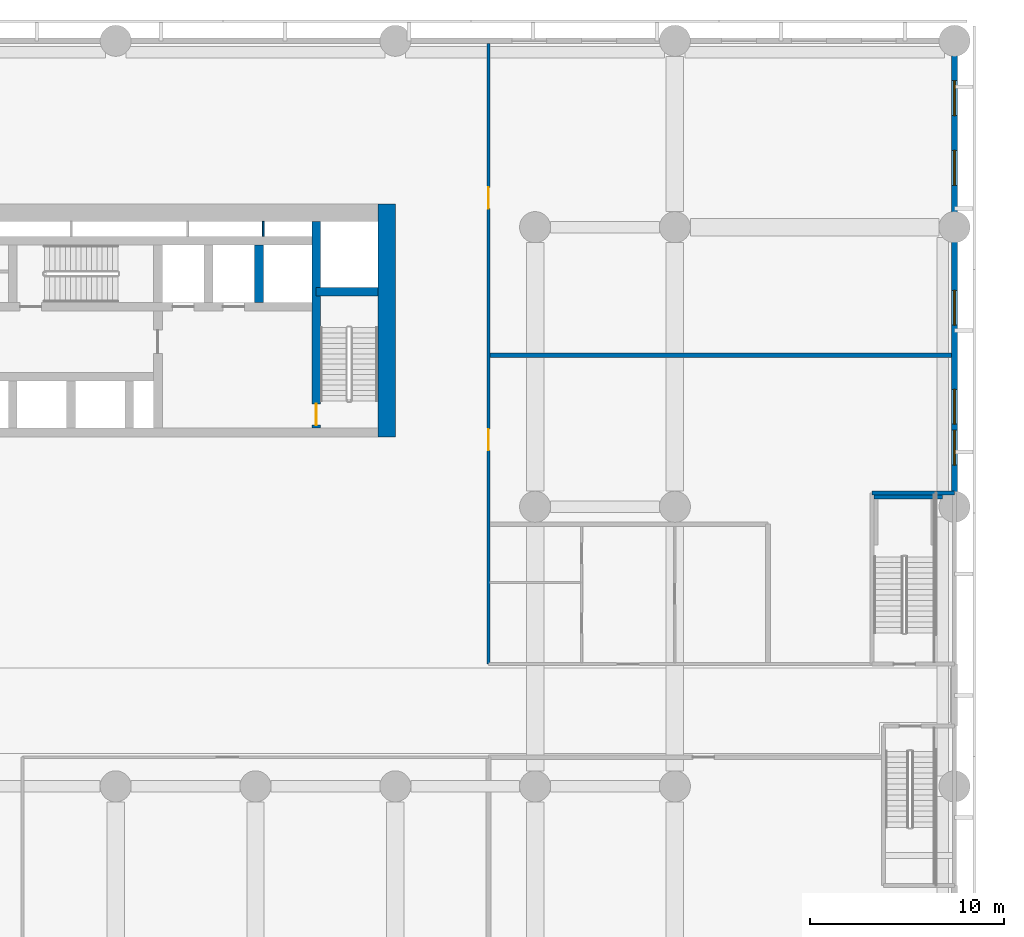
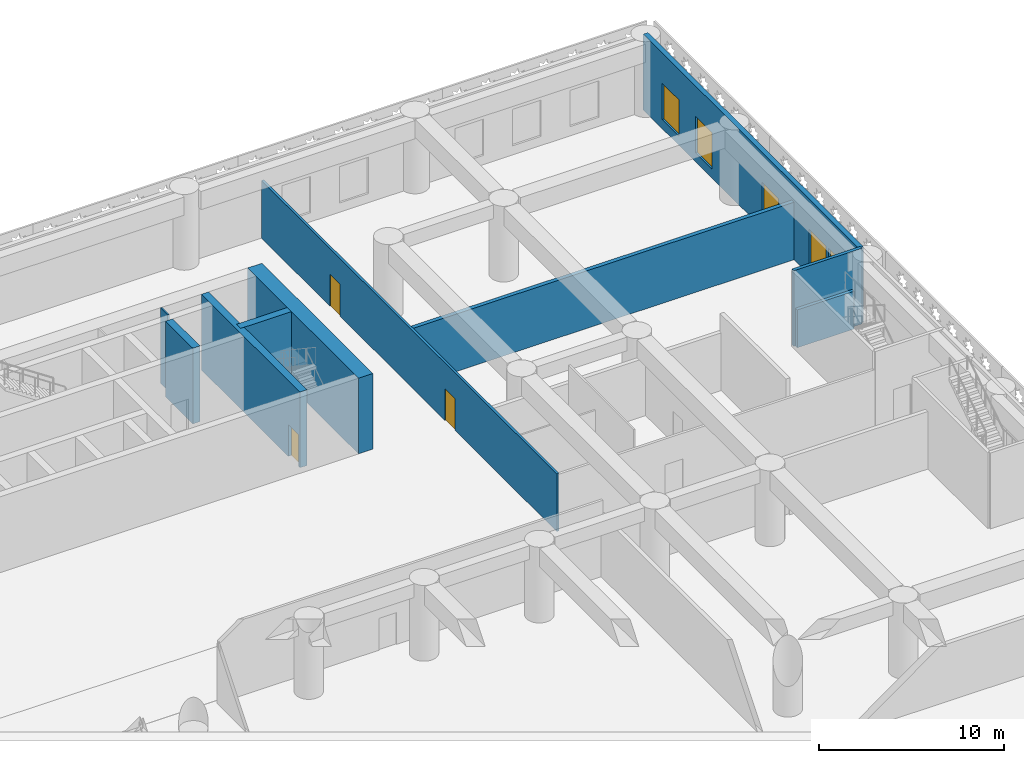
# One storey, part 10 of 30: 10 walls, 5 windows, 3 doors, 8 openings.
"""IFC4 building model written with IfcOpenShell, lengths in metres."""

from ifc_helpers import new_model, si_unit, direction, frame, frame_2d, origin, place, context, subcontext, project, spatial, rectangle, extrude, material, layer, layer_set, type_object, element, fill, save


model = new_model("IFC4")

# Units and contexts
model_context = context("Model", 3, precision=1e-05, world=origin(), true_north=direction((0.0, 1.0)))
body_context = subcontext(model_context, "Body", "Model", "MODEL_VIEW")
ifc_project = project(units=[si_unit("LENGTHUNIT", "METRE"), si_unit("AREAUNIT", "SQUARE_METRE"), si_unit("VOLUMEUNIT", "CUBIC_METRE"), si_unit("PLANEANGLEUNIT", "RADIAN"), si_unit("MASSUNIT", "GRAM", prefix="KILO")], contexts=[model_context])

# Site, building, storey
site_placement = place(None, origin())
site = spatial("IfcSite", under=ifc_project, at=site_placement, CompositionType="ELEMENT")
building_placement = place(site_placement, origin())
building = spatial("IfcBuilding", under=site, at=building_placement, Name="Saffron Iwan Residences", CompositionType="ELEMENT")
storey_placement = place(building_placement, frame((0.0, 0.0, 7.800048828125)))
storey = spatial("IfcBuildingStorey", under=building, at=storey_placement, Name="L01", CompositionType="ELEMENT", Elevation=7.800048828125)

# Wall, openings, doors
ifc_material_1 = material(Name="Concrete blockwork", Category="masonry")
ifc_layer_1 = layer(ifc_material_1, 0.14990234375)
ifc_layer_set_1 = layer_set([ifc_layer_1], Name="Concrete blockwork")
wall_type_1 = type_object("IfcWallType", Name="Blockwork partition 150", PredefinedType="PARTITIONING", material=ifc_layer_set_1)
wall_1_placement = place(storey_placement, frame((76.800048828125, 54.300048828125, 0.0), z_axis=(0.0, 0.0, 1.0), x_axis=(0.0, 1.0, 0.0)))
wall_1 = element("IfcWall", 1, at=wall_1_placement, inside=storey, type_object=wall_type_1, Name="W-L01-045", PredefinedType="PARTITIONING", context=body_context, shape_type="SweptSolid", body=[
    extrude(rectangle(XDim=31.949951171875, YDim=0.14990234375, at=frame_2d((15.97509765625, 0.0))), origin(), (0.0, 0.0, 1.0), 3.800048828125),
])
opening_1_placement = place(wall_1_placement, frame((11.0, 0.0, 0.0)))
opening_1 = element("IfcOpeningElement", 2, at=opening_1_placement, cuts=wall_1, Name="Opening L01.14", PredefinedType="OPENING", context=body_context, shape_type="SweptSolid", body=[
    extrude(rectangle(XDim=1.10009765625, YDim=2.10009765625, at=frame_2d((0.550048828125, 1.050048828125))), frame((0.0, 0.0849609375, 0.0), z_axis=(0.0, -1.0, 0.0), x_axis=(1.0, 0.0, 0.0)), (0.0, 0.0, 1.0), 0.169921875),
])
opening_2_placement = place(wall_1_placement, frame((23.449951171875, 0.0, 0.0)))
opening_2 = element("IfcOpeningElement", 3, at=opening_2_placement, cuts=wall_1, Name="Opening L01.15", PredefinedType="OPENING", context=body_context, shape_type="SweptSolid", body=[
    extrude(rectangle(XDim=1.10009765625, YDim=2.10009765625, at=frame_2d((0.550048828125, 1.050048828125))), frame((0.0, 0.0849609375, 0.0), z_axis=(0.0, -1.0, 0.0), x_axis=(1.0, 0.0, 0.0)), (0.0, 0.0, 1.0), 0.169921875),
])
ifc_material_2 = material(Name="Timber", Category="wood")
door_type_1 = type_object("IfcDoorType", Name="Door 1100x2100", OperationType="NOTDEFINED", PredefinedType="DOOR", material=ifc_material_2)
door_1_placement = place(opening_1_placement, origin())
door_1 = element("IfcDoor", 4, at=door_1_placement, inside=storey, type_object=door_type_1, Name="D-L01-014", OperationType="SINGLE_SWING_LEFT", OverallHeight=2.10009765625, OverallWidth=1.10009765625, PredefinedType="DOOR", context=body_context, shape_type="SweptSolid", body=[
    extrude(rectangle(XDim=1.10009765625, YDim=2.10009765625, at=frame_2d((0.550048828125, 1.050048828125))), frame((0.0, 0.02490234375, 0.0), z_axis=(0.0, -1.0, 0.0), x_axis=(1.0, 0.0, 0.0)), (0.0, 0.0, 1.0), 0.050048828125),
])
fill(opening_1, door_1)
door_2_placement = place(opening_2_placement, origin())
door_2 = element("IfcDoor", 5, at=door_2_placement, inside=storey, type_object=door_type_1, Name="D-L01-015", OperationType="SINGLE_SWING_RIGHT", OverallHeight=2.10009765625, OverallWidth=1.10009765625, PredefinedType="DOOR", context=body_context, shape_type="SweptSolid", body=[
    extrude(rectangle(XDim=1.10009765625, YDim=2.10009765625, at=frame_2d((0.550048828125, 1.050048828125))), frame((0.0, 0.02490234375, 0.0), z_axis=(0.0, -1.0, 0.0), x_axis=(1.0, 0.0, 0.0)), (0.0, 0.0, 1.0), 0.050048828125),
])
fill(opening_2, door_2)

# Walls
ifc_material_3 = material(Name="Concrete C40/50", Category="concrete")
ifc_layer_2 = layer(ifc_material_3, 0.25)
ifc_layer_set_2 = layer_set([ifc_layer_2], Name="Concrete C40/50")
wall_type_2 = type_object("IfcWallType", Name="Fire compartment wall 250", PredefinedType="SOLIDWALL", material=ifc_layer_set_2)
wall_2_placement = place(storey_placement, frame((76.875, 70.199951171875, 0.0), z_axis=(0.0, 0.0, 1.0), x_axis=(1.0, 0.0, 0.0)))
element("IfcWall", 6, at=wall_2_placement, inside=storey, type_object=wall_type_2, Name="W-L01-025", PredefinedType="SOLIDWALL", context=body_context, shape_type="SweptSolid", body=[
    extrude(rectangle(XDim=23.77490234375, YDim=0.25, at=frame_2d((11.887451171875, 0.0))), origin(), (0.0, 0.0, 1.0), 3.800048828125),
])
ifc_layer_3 = layer(ifc_material_3, 0.199951171875)
ifc_layer_set_3 = layer_set([ifc_layer_3], Name="Concrete C40/50")
wall_type_3 = type_object("IfcWallType", Name="Landing support wall, reinforced concrete 200", PredefinedType="SOLIDWALL", material=ifc_layer_set_3)
wall_3_placement = place(storey_placement, frame((96.64990234375, 62.89990234375, 0.0), z_axis=(0.0, 0.0, 1.0), x_axis=(1.0, 0.0, 0.0)))
element("IfcWall", 7, at=wall_3_placement, inside=storey, type_object=wall_type_3, Name="PS4 landing support wall", PredefinedType="SOLIDWALL", context=body_context, shape_type="SweptSolid", body=[
    extrude(rectangle(XDim=3.526123046875, YDim=0.199951171875, at=frame_2d((1.76318359375, 0.0))), origin(), (0.0, 0.0, 1.0), 2.5),
])

# Wall, openings, windows
ifc_material_4 = material(Name="Precast concrete C40/50", Category="concrete")
ifc_layer_4 = layer(ifc_material_4, 0.300048828125)
ifc_layer_set_4 = layer_set([ifc_layer_4], Name="Precast concrete C40/50")
wall_type_4 = type_object("IfcWallType", Name="Podium external wall 300", PredefinedType="SOLIDWALL", material=ifc_layer_set_4)
wall_4_placement = place(storey_placement, frame((100.800048828125, 63.10009765625, 0.0), z_axis=(0.0, 0.0, 1.0), x_axis=(0.0, 1.0, 0.0)))
wall_4 = element("IfcWall", 8, at=wall_4_placement, inside=storey, type_object=wall_type_4, Name="W-L01-055", PredefinedType="SOLIDWALL", context=body_context, shape_type="SweptSolid", body=[
    extrude(rectangle(XDim=23.2998046875, YDim=0.300048828125, at=frame_2d((11.64990234375, 0.0))), origin(), (0.0, 0.0, 1.0), 5.0),
])
opening_3_placement = place(wall_4_placement, frame((1.449951171875, 0.0, 0.60009765625)))
opening_3 = element("IfcOpeningElement", 9, at=opening_3_placement, cuts=wall_4, Name="Opening W7", PredefinedType="OPENING", context=body_context, shape_type="SweptSolid", body=[
    extrude(rectangle(XDim=1.800048828125, YDim=2.39990234375, at=frame_2d((0.89990234375, 1.199951171875))), frame((0.0, 0.16015625, 0.0), z_axis=(0.0, -1.0, 0.0), x_axis=(1.0, 0.0, 0.0)), (0.0, 0.0, 1.0), 0.320068359375),
])
opening_4_placement = place(wall_4_placement, frame((3.550048828125, 0.0, 0.60009765625)))
opening_4 = element("IfcOpeningElement", 10, at=opening_4_placement, cuts=wall_4, Name="Opening W7", PredefinedType="OPENING", context=body_context, shape_type="SweptSolid", body=[
    extrude(rectangle(XDim=1.800048828125, YDim=2.39990234375, at=frame_2d((0.89990234375, 1.199951171875))), frame((0.0, 0.16015625, 0.0), z_axis=(0.0, -1.0, 0.0), x_axis=(1.0, 0.0, 0.0)), (0.0, 0.0, 1.0), 0.320068359375),
])
opening_5_placement = place(wall_4_placement, frame((8.64990234375, 0.0, 0.60009765625)))
opening_5 = element("IfcOpeningElement", 11, at=opening_5_placement, cuts=wall_4, Name="Opening W7", PredefinedType="OPENING", context=body_context, shape_type="SweptSolid", body=[
    extrude(rectangle(XDim=1.800048828125, YDim=2.39990234375, at=frame_2d((0.89990234375, 1.199951171875))), frame((0.0, 0.16015625, 0.0), z_axis=(0.0, -1.0, 0.0), x_axis=(1.0, 0.0, 0.0)), (0.0, 0.0, 1.0), 0.320068359375),
])
opening_6_placement = place(wall_4_placement, frame((15.85009765625, 0.0, 0.60009765625)))
opening_6 = element("IfcOpeningElement", 12, at=opening_6_placement, cuts=wall_4, Name="Opening W7", PredefinedType="OPENING", context=body_context, shape_type="SweptSolid", body=[
    extrude(rectangle(XDim=1.800048828125, YDim=2.39990234375, at=frame_2d((0.89990234375, 1.199951171875))), frame((0.0, 0.16015625, 0.0), z_axis=(0.0, -1.0, 0.0), x_axis=(1.0, 0.0, 0.0)), (0.0, 0.0, 1.0), 0.320068359375),
])
opening_7_placement = place(wall_4_placement, frame((19.449951171875, 0.0, 0.60009765625)))
opening_7 = element("IfcOpeningElement", 13, at=opening_7_placement, cuts=wall_4, Name="Opening W7", PredefinedType="OPENING", context=body_context, shape_type="SweptSolid", body=[
    extrude(rectangle(XDim=1.800048828125, YDim=2.39990234375, at=frame_2d((0.89990234375, 1.199951171875))), frame((0.0, 0.16015625, 0.0), z_axis=(0.0, -1.0, 0.0), x_axis=(1.0, 0.0, 0.0)), (0.0, 0.0, 1.0), 0.320068359375),
])
ifc_material_5 = material(Name="Clear glass, laminated double glazed", Category="glass")
window_type = type_object("IfcWindowType", Name="WINDOW 1800 x 2400 PODIUM", PartitioningType="DOUBLE_PANEL_VERTICAL", PredefinedType="WINDOW", material=ifc_material_5)
window_1_placement = place(opening_3_placement, origin())
window_1 = element("IfcWindow", 14, at=window_1_placement, inside=storey, type_object=window_type, Name="Window L01 W-L01-055.0", OverallHeight=2.39990234375, OverallWidth=1.800048828125, PartitioningType="DOUBLE_PANEL_VERTICAL", PredefinedType="WINDOW", context=body_context, shape_type="SweptSolid", body=[
    extrude(rectangle(XDim=1.800048828125, YDim=2.39990234375, at=frame_2d((0.89990234375, 1.199951171875))), frame((0.0, 0.030029296875, 0.0), z_axis=(0.0, -1.0, 0.0), x_axis=(1.0, 0.0, 0.0)), (0.0, 0.0, 1.0), 0.06005859375),
])
fill(opening_3, window_1)
window_2_placement = place(opening_4_placement, origin())
window_2 = element("IfcWindow", 15, at=window_2_placement, inside=storey, type_object=window_type, Name="Window L01 W-L01-055.1", OverallHeight=2.39990234375, OverallWidth=1.800048828125, PartitioningType="DOUBLE_PANEL_VERTICAL", PredefinedType="WINDOW", context=body_context, shape_type="SweptSolid", body=[
    extrude(rectangle(XDim=1.800048828125, YDim=2.39990234375, at=frame_2d((0.89990234375, 1.199951171875))), frame((0.0, 0.030029296875, 0.0), z_axis=(0.0, -1.0, 0.0), x_axis=(1.0, 0.0, 0.0)), (0.0, 0.0, 1.0), 0.06005859375),
])
fill(opening_4, window_2)
window_3_placement = place(opening_5_placement, origin())
window_3 = element("IfcWindow", 16, at=window_3_placement, inside=storey, type_object=window_type, Name="Window L01 W-L01-055.2", OverallHeight=2.39990234375, OverallWidth=1.800048828125, PartitioningType="DOUBLE_PANEL_VERTICAL", PredefinedType="WINDOW", context=body_context, shape_type="SweptSolid", body=[
    extrude(rectangle(XDim=1.800048828125, YDim=2.39990234375, at=frame_2d((0.89990234375, 1.199951171875))), frame((0.0, 0.030029296875, 0.0), z_axis=(0.0, -1.0, 0.0), x_axis=(1.0, 0.0, 0.0)), (0.0, 0.0, 1.0), 0.06005859375),
])
fill(opening_5, window_3)
window_4_placement = place(opening_6_placement, origin())
window_4 = element("IfcWindow", 17, at=window_4_placement, inside=storey, type_object=window_type, Name="Window L01 W-L01-055.3", OverallHeight=2.39990234375, OverallWidth=1.800048828125, PartitioningType="DOUBLE_PANEL_VERTICAL", PredefinedType="WINDOW", context=body_context, shape_type="SweptSolid", body=[
    extrude(rectangle(XDim=1.800048828125, YDim=2.39990234375, at=frame_2d((0.89990234375, 1.199951171875))), frame((0.0, 0.030029296875, 0.0), z_axis=(0.0, -1.0, 0.0), x_axis=(1.0, 0.0, 0.0)), (0.0, 0.0, 1.0), 0.06005859375),
])
fill(opening_6, window_4)
window_5_placement = place(opening_7_placement, origin())
window_5 = element("IfcWindow", 18, at=window_5_placement, inside=storey, type_object=window_type, Name="Window L01 W-L01-055.4", OverallHeight=2.39990234375, OverallWidth=1.800048828125, PartitioningType="DOUBLE_PANEL_VERTICAL", PredefinedType="WINDOW", context=body_context, shape_type="SweptSolid", body=[
    extrude(rectangle(XDim=1.800048828125, YDim=2.39990234375, at=frame_2d((0.89990234375, 1.199951171875))), frame((0.0, 0.030029296875, 0.0), z_axis=(0.0, -1.0, 0.0), x_axis=(1.0, 0.0, 0.0)), (0.0, 0.0, 1.0), 0.06005859375),
])
fill(opening_7, window_5)

# Walls
ifc_layer_5 = layer(ifc_material_3, 0.199951171875)
ifc_layer_set_5 = layer_set([ifc_layer_5], Name="Concrete C40/50")
wall_type_5 = type_object("IfcWallType", Name="Reinforced concrete stair wall 200", PredefinedType="SOLIDWALL", material=ifc_layer_set_5)
wall_5_placement = place(storey_placement, frame((96.550048828125, 63.10009765625, 0.0), z_axis=(0.0, 0.0, 1.0), x_axis=(1.0, 0.0, 0.0)))
element("IfcWall", 19, at=wall_5_placement, inside=storey, type_object=wall_type_5, Name="W-L01-024", PredefinedType="SOLIDWALL", context=body_context, shape_type="SweptSolid", body=[
    extrude(rectangle(XDim=4.25, YDim=0.199951171875, at=frame_2d((2.125, 0.0))), origin(), (0.0, 0.0, 1.0), 5.0),
])
ifc_material_6 = material(Name="Fire-rated plasterboard partition")
ifc_layer_6 = layer(ifc_material_6, 0.10009765625)
ifc_layer_set_6 = layer_set([ifc_layer_6], Name="Fire-rated plasterboard partition")
wall_type_6 = type_object("IfcWallType", Name="Riser partition 100", PredefinedType="PARTITIONING", material=ifc_layer_set_6)
wall_6_placement = place(storey_placement, frame((65.199951171875, 76.324951171875, 0.0), z_axis=(0.0, 0.0, 1.0), x_axis=(0.0, 1.0, 0.0)))
element("IfcWall", 20, at=wall_6_placement, inside=storey, type_object=wall_type_6, Name="Core partition P11", PredefinedType="PARTITIONING", context=body_context, shape_type="SweptSolid", body=[
    extrude(rectangle(XDim=0.775146484375, YDim=0.10009765625, at=frame_2d((0.3876953125, 0.0))), origin(), (0.0, 0.0, 1.0), 5.0),
])
ifc_material_7 = material(Name="Concrete C60/75", Category="concrete")
ifc_layer_7 = layer(ifc_material_7, 0.449951171875)
ifc_layer_set_7 = layer_set([ifc_layer_7], Name="Concrete C60/75")
wall_type_7 = type_object("IfcWallType", Name="WALL CORE 450 C60/75 5000 HIGH", PredefinedType="SHEAR", material=ifc_layer_set_7)
wall_7_placement = place(storey_placement, frame((67.925048828125, 73.47509765625, 0.0), z_axis=(0.0, 0.0, 1.0), x_axis=(1.0, 0.0, 0.0)))
element("IfcWall", 21, at=wall_7_placement, inside=storey, type_object=wall_type_7, Name="Core wall", PredefinedType="SHEAR", context=body_context, shape_type="SweptSolid", body=[
    extrude(rectangle(XDim=3.175048828125, YDim=0.449951171875, at=frame_2d((1.58740234375, 0.0))), origin(), (0.0, 0.0, 1.0), 5.0),
])

# Wall, opening, door
wall_8_placement = place(storey_placement, frame((67.925048828125, 66.449951171875, 0.0), z_axis=(0.0, 0.0, 1.0), x_axis=(0.0, 1.0, 0.0)))
wall_8 = element("IfcWall", 22, at=wall_8_placement, inside=storey, type_object=wall_type_7, Name="Core wall", PredefinedType="SHEAR", context=body_context, shape_type="SweptSolid", body=[
    extrude(rectangle(XDim=10.650146484375, YDim=0.449951171875, at=frame_2d((5.3251953125, 0.0))), origin(), (0.0, 0.0, 1.0), 5.0),
])
opening_8_placement = place(wall_8_placement, frame((0.14990234375, 0.0, 0.0)))
opening_8 = element("IfcOpeningElement", 23, at=opening_8_placement, cuts=wall_8, Name="Opening SD", PredefinedType="OPENING", context=body_context, shape_type="SweptSolid", body=[
    extrude(rectangle(XDim=1.10009765625, YDim=2.10009765625, at=frame_2d((0.550048828125, 1.050048828125))), frame((0.0, 0.23486328125, 0.0), z_axis=(0.0, -1.0, 0.0), x_axis=(1.0, 0.0, 0.0)), (0.0, 0.0, 1.0), 0.469970703125),
])
ifc_material_8 = material(Name="Steel fire door", Category="steel")
door_type_2 = type_object("IfcDoorType", Name="Stair door 1100", OperationType="NOTDEFINED", PredefinedType="DOOR", material=ifc_material_8)
door_3_placement = place(opening_8_placement, origin())
door_3 = element("IfcDoor", 24, at=door_3_placement, inside=storey, type_object=door_type_2, Name="Stair door ST-E", OperationType="SINGLE_SWING_LEFT", OverallHeight=2.10009765625, OverallWidth=1.10009765625, PredefinedType="DOOR", context=body_context, shape_type="SweptSolid", body=[
    extrude(rectangle(XDim=1.10009765625, YDim=2.10009765625, at=frame_2d((0.550048828125, 1.050048828125))), frame((0.0, 0.02490234375, 0.0), z_axis=(0.0, -1.0, 0.0), x_axis=(1.0, 0.0, 0.0)), (0.0, 0.0, 1.0), 0.050048828125),
])
fill(opening_8, door_3)

# Walls
wall_9_placement = place(storey_placement, frame((64.97509765625, 72.925048828125, 0.0), z_axis=(0.0, 0.0, 1.0), x_axis=(0.0, 1.0, 0.0)))
element("IfcWall", 25, at=wall_9_placement, inside=storey, type_object=wall_type_7, Name="Core wall", PredefinedType="SHEAR", context=body_context, shape_type="SweptSolid", body=[
    extrude(rectangle(XDim=2.949951171875, YDim=0.449951171875, at=frame_2d((1.47509765625, 0.0))), origin(), (0.0, 0.0, 1.0), 5.0),
])
ifc_layer_8 = layer(ifc_material_7, 0.89990234375)
ifc_layer_set_8 = layer_set([ifc_layer_8], Name="Concrete C60/75")
wall_type_8 = type_object("IfcWallType", Name="WALL CORE 900 C60/75 5000 HIGH", PredefinedType="SHEAR", material=ifc_layer_set_8)
wall_10_placement = place(storey_placement, frame((71.550048828125, 66.0, 0.0), z_axis=(0.0, 0.0, 1.0), x_axis=(0.0, 1.0, 0.0)))
element("IfcWall", 26, at=wall_10_placement, inside=storey, type_object=wall_type_8, Name="Core wall", PredefinedType="SHEAR", context=body_context, shape_type="SweptSolid", body=[
    extrude(rectangle(XDim=12.0, YDim=0.89990234375, at=frame_2d((6.0, 0.0))), origin(), (0.0, 0.0, 1.0), 5.0),
])

save(model, "model.ifc")
